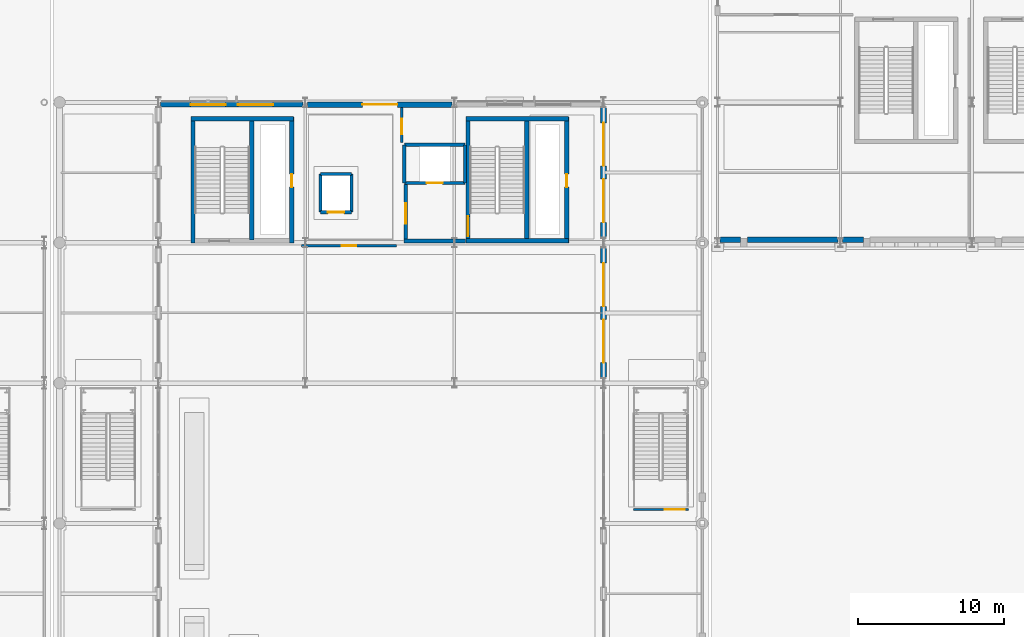
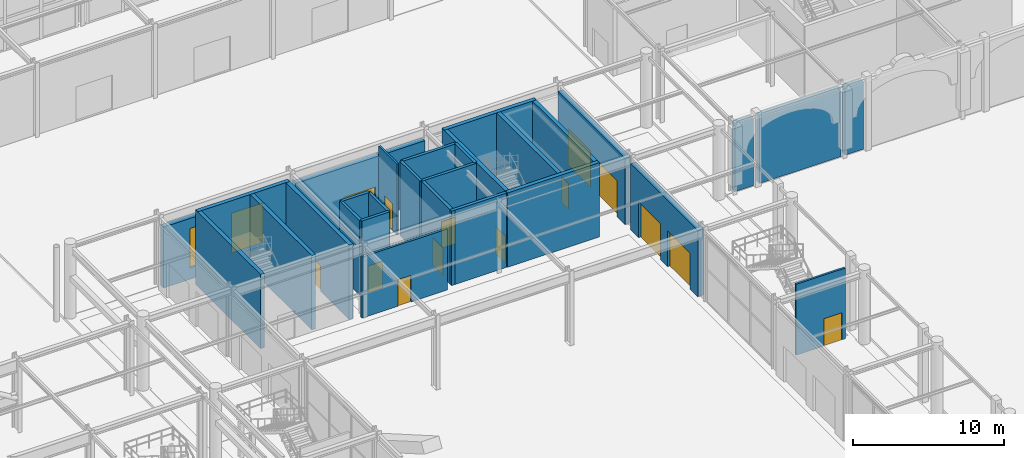
# One storey, part 63 of 113: 29 walls, 14 doors, 2 windows, 16 openings.
"""IFC4 building model written with IfcOpenShell, lengths in metres."""

from ifc_helpers import new_model, si_unit, direction, frame, frame_2d, origin, place, context, subcontext, project, spatial, rectangle, extrude, material, layer, layer_set, type_object, element, fill, save


model = new_model("IFC4")

# Units and contexts
model_context = context("Model", 3, precision=1e-05, world=origin(), true_north=direction((0.0, 1.0)))
body_context = subcontext(model_context, "Body", "Model", "MODEL_VIEW")
ifc_project = project(units=[si_unit("LENGTHUNIT", "METRE"), si_unit("AREAUNIT", "SQUARE_METRE"), si_unit("VOLUMEUNIT", "CUBIC_METRE"), si_unit("PLANEANGLEUNIT", "RADIAN"), si_unit("MASSUNIT", "GRAM", prefix="KILO")], contexts=[model_context])

# Site, building, storey
site_placement = place(None, origin())
site = spatial("IfcSite", under=ifc_project, at=site_placement, CompositionType="ELEMENT")
building_placement = place(site_placement, origin())
building = spatial("IfcBuilding", under=site, at=building_placement, Name="Myrtia Square Station", CompositionType="ELEMENT")
storey_placement = place(building_placement, origin())
storey = spatial("IfcBuildingStorey", under=building, at=storey_placement, Name="L00", CompositionType="ELEMENT", Elevation=0.0)

# Walls
ifc_material_1 = material(Name="Concrete C35/45", Category="concrete")
ifc_layer_1 = layer(ifc_material_1, 0.300048828125, Name="Concrete C35/45")
ifc_layer_set_1 = layer_set([ifc_layer_1], Name="Concrete C35/45")
wall_type_1 = type_object("IfcWallType", Name="WL-CORE-300", PredefinedType="SHEAR", material=ifc_layer_set_1)
wall_1_placement = place(storey_placement, frame((81.60009765625, 94.875, 0.0), z_axis=(0.0, 0.0, 1.0), x_axis=(1.0, 0.0, 0.0)))
element("IfcWall", 1, at=wall_1_placement, inside=storey, type_object=wall_type_1, Name="Core K2 shear wall L00 N", PredefinedType="SHEAR", context=body_context, shape_type="SweptSolid", body=[
    extrude(rectangle(XDim=7.0, YDim=0.300048828125, at=frame_2d((3.5, 0.0))), origin(), (0.0, 0.0, 1.0), 6.0),
])
wall_2_placement = place(storey_placement, frame((81.72509765625, 86.39990234375, 0.0), z_axis=(0.0, 0.0, 1.0), x_axis=(0.0, 1.0, 0.0)))
element("IfcWall", 2, at=wall_2_placement, inside=storey, type_object=wall_type_1, Name="Core K2 shear wall L00 W", PredefinedType="SHEAR", context=body_context, shape_type="SweptSolid", body=[
    extrude(rectangle(XDim=8.60009765625, YDim=0.300048828125, at=frame_2d((4.300048828125, 0.0))), origin(), (0.0, 0.0, 1.0), 6.0),
])

# Wall, opening, door
wall_3_placement = place(storey_placement, frame((88.47509765625, 86.39990234375, 0.0), z_axis=(0.0, 0.0, 1.0), x_axis=(0.0, 1.0, 0.0)))
wall_3 = element("IfcWall", 3, at=wall_3_placement, inside=storey, type_object=wall_type_1, Name="Core K2 shear wall L00 E", PredefinedType="SHEAR", context=body_context, shape_type="SweptSolid", body=[
    extrude(rectangle(XDim=8.60009765625, YDim=0.300048828125, at=frame_2d((4.300048828125, 0.0))), origin(), (0.0, 0.0, 1.0), 6.0),
])
opening_1_placement = place(wall_3_placement, frame((3.800048828125, 0.0, 0.0)))
opening_1 = element("IfcOpeningElement", 4, at=opening_1_placement, cuts=wall_3, Name="Opening RD-014", PredefinedType="OPENING", context=body_context, shape_type="SweptSolid", body=[
    extrude(rectangle(XDim=0.89990234375, YDim=2.050048828125, at=frame_2d((0.449951171875, 1.02490234375))), frame((0.0, 0.1650390625, 0.0), z_axis=(0.0, -1.0, 0.0), x_axis=(1.0, 0.0, 0.0)), (0.0, 0.0, 1.0), 0.330078125),
])
ifc_material_2 = material(Name="Dark bronze anodised aluminium", Category="aluminium")
door_type_1 = type_object("IfcDoorType", Name="DR-RISER-900x2050", OperationType="NOTDEFINED", PredefinedType="DOOR", material=ifc_material_2)
door_1_placement = place(opening_1_placement, origin())
door_1 = element("IfcDoor", 5, at=door_1_placement, inside=storey, type_object=door_type_1, Name="Riser cupboard access door K2 L00", OperationType="SINGLE_SWING_RIGHT", OverallHeight=2.050048828125, OverallWidth=0.89990234375, PredefinedType="DOOR", context=body_context, shape_type="SweptSolid", body=[
    extrude(rectangle(XDim=0.89990234375, YDim=2.050048828125, at=frame_2d((0.449951171875, 1.02490234375))), frame((0.0, 0.02490234375, 0.0), z_axis=(0.0, -1.0, 0.0), x_axis=(1.0, 0.0, 0.0)), (0.0, 0.0, 1.0), 0.050048828125),
])
fill(opening_1, door_1)

# Walls
wall_4_placement = place(storey_placement, frame((85.739990234375, 86.60009765625, 0.0), z_axis=(0.0, 0.0, 1.0), x_axis=(0.0, 1.0, 0.0)))
element("IfcWall", 6, at=wall_4_placement, inside=storey, type_object=wall_type_1, Name="Core K2 shear wall L00 D", PredefinedType="SHEAR", context=body_context, shape_type="SweptSolid", body=[
    extrude(rectangle(XDim=8.199951171875, YDim=0.300048828125, at=frame_2d((4.10009765625, 0.0))), origin(), (0.0, 0.0, 1.0), 6.0),
])
for number, where, z_axis, x_axis, name in (
    (7, (100.39990234375, 86.52490234375, 0.0), (0.0, 0.0, 1.0), (1.0, 0.0, 0.0), "Core K4 shear wall L00 S"),
    (8, (100.39990234375, 94.875, 0.0), (0.0, 0.0, 1.0), (1.0, 0.0, 0.0), "Core K4 shear wall L00 N"),
):
    element("IfcWall", number, at=place(storey_placement, frame(where, z_axis=z_axis, x_axis=x_axis)), inside=storey, type_object=wall_type_1, Name=name, PredefinedType="SHEAR", context=body_context, shape_type="SweptSolid", body=[
        extrude(rectangle(XDim=7.0, YDim=0.300048828125, at=frame_2d((3.5, 0.0))), origin(), (0.0, 0.0, 1.0), 6.0),
    ])

# Wall, opening, door
wall_5_placement = place(storey_placement, frame((100.52490234375, 86.39990234375, 0.0), z_axis=(0.0, 0.0, 1.0), x_axis=(0.0, 1.0, 0.0)))
wall_5 = element("IfcWall", 9, at=wall_5_placement, inside=storey, type_object=wall_type_1, Name="Core K4 shear wall L00 W", PredefinedType="SHEAR", context=body_context, shape_type="SweptSolid", body=[
    extrude(rectangle(XDim=8.60009765625, YDim=0.300048828125, at=frame_2d((4.300048828125, 0.0))), origin(), (0.0, 0.0, 1.0), 6.0),
])
opening_2_placement = place(wall_5_placement, frame((0.449951171875, 0.0, 0.0)))
opening_2 = element("IfcOpeningElement", 10, at=opening_2_placement, cuts=wall_5, Name="Opening SD-039", PredefinedType="OPENING", context=body_context, shape_type="SweptSolid", body=[
    extrude(rectangle(XDim=1.35009765625, YDim=2.199951171875, at=frame_2d((0.675048828125, 1.10009765625))), frame((0.0, 0.1650390625, 0.0), z_axis=(0.0, -1.0, 0.0), x_axis=(1.0, 0.0, 0.0)), (0.0, 0.0, 1.0), 0.330078125),
])
door_type_2 = type_object("IfcDoorType", Name="DR-STAIR-1350x2200", OperationType="NOTDEFINED", PredefinedType="DOOR", material=ifc_material_2)
door_2_placement = place(opening_2_placement, origin())
door_2 = element("IfcDoor", 11, at=door_2_placement, inside=storey, type_object=door_type_2, Name="Protected stair fire door K4 L00", OperationType="SINGLE_SWING_LEFT", OverallHeight=2.199951171875, OverallWidth=1.35009765625, PredefinedType="DOOR", context=body_context, shape_type="SweptSolid", body=[
    extrude(rectangle(XDim=1.35009765625, YDim=2.199951171875, at=frame_2d((0.675048828125, 1.10009765625))), frame((0.0, 0.02490234375, 0.0), z_axis=(0.0, -1.0, 0.0), x_axis=(1.0, 0.0, 0.0)), (0.0, 0.0, 1.0), 0.050048828125),
])
fill(opening_2, door_2)

wall_6_placement = place(storey_placement, frame((107.27490234375, 86.39990234375, 0.0), z_axis=(0.0, 0.0, 1.0), x_axis=(0.0, 1.0, 0.0)))
wall_6 = element("IfcWall", 12, at=wall_6_placement, inside=storey, type_object=wall_type_1, Name="Core K4 shear wall L00 E", PredefinedType="SHEAR", context=body_context, shape_type="SweptSolid", body=[
    extrude(rectangle(XDim=8.60009765625, YDim=0.300048828125, at=frame_2d((4.300048828125, 0.0))), origin(), (0.0, 0.0, 1.0), 6.0),
])
opening_3_placement = place(wall_6_placement, frame((3.800048828125, 0.0, 0.0)))
opening_3 = element("IfcOpeningElement", 13, at=opening_3_placement, cuts=wall_6, Name="Opening RD-040", PredefinedType="OPENING", context=body_context, shape_type="SweptSolid", body=[
    extrude(rectangle(XDim=0.89990234375, YDim=2.050048828125, at=frame_2d((0.449951171875, 1.02490234375))), frame((0.0, 0.1650390625, 0.0), z_axis=(0.0, -1.0, 0.0), x_axis=(1.0, 0.0, 0.0)), (0.0, 0.0, 1.0), 0.330078125),
])
door_3_placement = place(opening_3_placement, origin())
door_3 = element("IfcDoor", 14, at=door_3_placement, inside=storey, type_object=door_type_1, Name="Riser cupboard access door K4 L00", OperationType="SINGLE_SWING_RIGHT", OverallHeight=2.050048828125, OverallWidth=0.89990234375, PredefinedType="DOOR", context=body_context, shape_type="SweptSolid", body=[
    extrude(rectangle(XDim=0.89990234375, YDim=2.050048828125, at=frame_2d((0.449951171875, 1.02490234375))), frame((0.0, 0.02490234375, 0.0), z_axis=(0.0, -1.0, 0.0), x_axis=(1.0, 0.0, 0.0)), (0.0, 0.0, 1.0), 0.050048828125),
])
fill(opening_3, door_3)

# Wall
wall_7_placement = place(storey_placement, frame((104.5400390625, 86.60009765625, 0.0), z_axis=(0.0, 0.0, 1.0), x_axis=(0.0, 1.0, 0.0)))
element("IfcWall", 15, at=wall_7_placement, inside=storey, type_object=wall_type_1, Name="Core K4 shear wall L00 D", PredefinedType="SHEAR", context=body_context, shape_type="SweptSolid", body=[
    extrude(rectangle(XDim=8.199951171875, YDim=0.300048828125, at=frame_2d((4.10009765625, 0.0))), origin(), (0.0, 0.0, 1.0), 6.0),
])

# Wall, opening, door
ifc_material_3 = material(Name="Pentelic marble ashlar", Category="masonry")
ifc_layer_2 = layer(ifc_material_3, 0.3798828125, Name="Pentelic marble ashlar")
ifc_layer_set_2 = layer_set([ifc_layer_2], Name="Pentelic marble ashlar")
wall_type_2 = type_object("IfcWallType", Name="WL-EXT-ASHLAR-380", PredefinedType="SOLIDWALL", material=ifc_layer_set_2)
wall_8_placement = place(storey_placement, frame((89.554931640625, 95.85009765625, 0.0), z_axis=(0.0, 0.0, 1.0), x_axis=(1.0, 0.0, 0.0)))
wall_8 = element("IfcWall", 16, at=wall_8_placement, inside=storey, type_object=wall_type_2, Name="Exterior envelope wall EW-L00-0014", PredefinedType="SOLIDWALL", context=body_context, shape_type="SweptSolid", body=[
    extrude(rectangle(XDim=9.89013671875, YDim=0.3798828125, at=frame_2d((4.945068359375, 0.0))), origin(), (0.0, 0.0, 1.0), 4.919921875),
])
opening_4_placement = place(wall_8_placement, frame((3.7451171875, 0.0, 0.0)))
opening_4 = element("IfcOpeningElement", 17, at=opening_4_placement, cuts=wall_8, Name="Opening ED-022", PredefinedType="OPENING", context=body_context, shape_type="SweptSolid", body=[
    extrude(rectangle(XDim=2.39990234375, YDim=2.5, at=frame_2d((1.199951171875, 1.25))), frame((0.0, 0.204833984375, 0.0), z_axis=(0.0, -1.0, 0.0), x_axis=(1.0, 0.0, 0.0)), (0.0, 0.0, 1.0), 0.409912109375),
])
door_type_3 = type_object("IfcDoorType", Name="DR-EXIT-2400x2500", OperationType="NOTDEFINED", PredefinedType="DOOR", material=ifc_material_2)
door_4_placement = place(opening_4_placement, origin())
door_4 = element("IfcDoor", 18, at=door_4_placement, inside=storey, type_object=door_type_3, Name="Pedestrian exit door ED-022", OperationType="DOUBLE_DOOR_SINGLE_SWING", OverallHeight=2.5, OverallWidth=2.39990234375, PredefinedType="DOOR", context=body_context, shape_type="SweptSolid", body=[
    extrude(rectangle(XDim=2.39990234375, YDim=2.5, at=frame_2d((1.199951171875, 1.25))), frame((0.0, 0.02490234375, 0.0), z_axis=(0.0, -1.0, 0.0), x_axis=(1.0, 0.0, 0.0)), (0.0, 0.0, 1.0), 0.050048828125),
])
fill(opening_4, door_4)

# Walls
wall_9_placement = place(storey_placement, frame((117.7548828125, 86.60009765625, 0.0), z_axis=(0.0, 0.0, 1.0), x_axis=(1.0, 0.0, 0.0)))
element("IfcWall", 19, at=wall_9_placement, inside=storey, type_object=wall_type_2, Name="Exterior envelope wall EW-L00-0082", PredefinedType="SOLIDWALL", context=body_context, shape_type="SweptSolid", body=[
    extrude(rectangle(XDim=1.4150390625, YDim=0.3798828125, at=frame_2d((0.70751953125, 0.0))), origin(), (0.0, 0.0, 1.0), 5.489990234375),
])
wall_10_placement = place(storey_placement, frame((119.6298828125, 86.60009765625, 0.0), z_axis=(0.0, 0.0, 1.0), x_axis=(1.0, 0.0, 0.0)))
element("IfcWall", 20, at=wall_10_placement, inside=storey, type_object=wall_type_2, Name="Exterior envelope wall EW-L00-0083", PredefinedType="SOLIDWALL", context=body_context, shape_type="SweptSolid", body=[
    extrude(rectangle(XDim=6.215087890625, YDim=0.3798828125, at=frame_2d((3.107421875, 0.0))), origin(), (0.0, 0.0, 1.0), 5.489990234375),
])
wall_11_placement = place(storey_placement, frame((126.155029296875, 86.60009765625, 0.0), z_axis=(0.0, 0.0, 1.0), x_axis=(1.0, 0.0, 0.0)))
element("IfcWall", 21, at=wall_11_placement, inside=storey, type_object=wall_type_2, Name="Exterior envelope wall EW-L00-0084", PredefinedType="SOLIDWALL", context=body_context, shape_type="SweptSolid", body=[
    extrude(rectangle(XDim=1.4150390625, YDim=0.3798828125, at=frame_2d((0.70751953125, 0.0))), origin(), (0.0, 0.0, 1.0), 5.489990234375),
])

# Wall, openings, doors
ifc_layer_3 = layer(ifc_material_3, 0.419921875, Name="Pentelic marble ashlar")
ifc_layer_set_3 = layer_set([ifc_layer_3], Name="Pentelic marble ashlar")
wall_type_3 = type_object("IfcWallType", Name="WL-EXT-ASHLAR-420", PredefinedType="SOLIDWALL", material=ifc_layer_set_3)
wall_12_placement = place(storey_placement, frame((109.800048828125, 77.155029296875, 0.0), z_axis=(0.0, 0.0, 1.0), x_axis=(0.0, 1.0, 0.0)))
wall_12 = element("IfcWall", 22, at=wall_12_placement, inside=storey, type_object=wall_type_3, Name="Exterior envelope wall EW-L00-0008", PredefinedType="SOLIDWALL", context=body_context, shape_type="SweptSolid", body=[
    extrude(rectangle(XDim=8.889892578125, YDim=0.419921875, at=frame_2d((4.44482421875, 0.0))), origin(), (0.0, 0.0, 1.0), 5.360107421875),
])
opening_5_placement = place(wall_12_placement, frame((1.044921875, 0.0, 0.0)))
opening_5 = element("IfcOpeningElement", 23, at=opening_5_placement, cuts=wall_12, Name="Opening ED-015", PredefinedType="OPENING", context=body_context, shape_type="SweptSolid", body=[
    extrude(rectangle(XDim=2.949951171875, YDim=2.89990234375, at=frame_2d((1.47509765625, 1.449951171875))), frame((0.0, 0.224853515625, 0.0), z_axis=(0.0, -1.0, 0.0), x_axis=(1.0, 0.0, 0.0)), (0.0, 0.0, 1.0), 0.449951171875),
])
opening_6_placement = place(wall_12_placement, frame((4.89501953125, 0.0, 0.0)))
opening_6 = element("IfcOpeningElement", 24, at=opening_6_placement, cuts=wall_12, Name="Opening ED-016", PredefinedType="OPENING", context=body_context, shape_type="SweptSolid", body=[
    extrude(rectangle(XDim=2.949951171875, YDim=2.89990234375, at=frame_2d((1.47509765625, 1.449951171875))), frame((0.0, 0.224853515625, 0.0), z_axis=(0.0, -1.0, 0.0), x_axis=(1.0, 0.0, 0.0)), (0.0, 0.0, 1.0), 0.449951171875),
])
door_type_4 = type_object("IfcDoorType", Name="DR-MAIN-2950x2900", OperationType="NOTDEFINED", PredefinedType="DOOR", material=ifc_material_2)
door_5_placement = place(opening_5_placement, frame((2.949951171875, 0.0, 0.0), z_axis=(0.0, 0.0, 1.0), x_axis=(-1.0, 0.0, 0.0)))
door_5 = element("IfcDoor", 25, at=door_5_placement, inside=storey, type_object=door_type_4, Name="Pedestrian exit door ED-015", OperationType="DOUBLE_DOOR_SINGLE_SWING", OverallHeight=2.89990234375, OverallWidth=2.949951171875, PredefinedType="DOOR", context=body_context, shape_type="SweptSolid", body=[
    extrude(rectangle(XDim=2.949951171875, YDim=2.89990234375, at=frame_2d((1.47509765625, 1.449951171875))), frame((0.0, 0.02490234375, 0.0), z_axis=(0.0, -1.0, 0.0), x_axis=(1.0, 0.0, 0.0)), (0.0, 0.0, 1.0), 0.050048828125),
])
fill(opening_5, door_5)
door_6_placement = place(opening_6_placement, frame((2.949951171875, 0.0, 0.0), z_axis=(0.0, 0.0, 1.0), x_axis=(-1.0, 0.0, 0.0)))
door_6 = element("IfcDoor", 26, at=door_6_placement, inside=storey, type_object=door_type_4, Name="Pedestrian exit door ED-016", OperationType="DOUBLE_DOOR_SINGLE_SWING", OverallHeight=2.89990234375, OverallWidth=2.949951171875, PredefinedType="DOOR", context=body_context, shape_type="SweptSolid", body=[
    extrude(rectangle(XDim=2.949951171875, YDim=2.89990234375, at=frame_2d((1.47509765625, 1.449951171875))), frame((0.0, 0.02490234375, 0.0), z_axis=(0.0, -1.0, 0.0), x_axis=(1.0, 0.0, 0.0)), (0.0, 0.0, 1.0), 0.050048828125),
])
fill(opening_6, door_6)

wall_13_placement = place(storey_placement, frame((109.800048828125, 86.7548828125, 0.0), z_axis=(0.0, 0.0, 1.0), x_axis=(0.0, 1.0, 0.0)))
wall_13 = element("IfcWall", 27, at=wall_13_placement, inside=storey, type_object=wall_type_3, Name="Exterior envelope wall EW-L00-0010", PredefinedType="SOLIDWALL", context=body_context, shape_type="SweptSolid", body=[
    extrude(rectangle(XDim=8.89013671875, YDim=0.419921875, at=frame_2d((4.445068359375, 0.0))), origin(), (0.0, 0.0, 1.0), 5.360107421875),
])
opening_7_placement = place(wall_13_placement, frame((1.044921875, 0.0, 0.0)))
opening_7 = element("IfcOpeningElement", 28, at=opening_7_placement, cuts=wall_13, Name="Opening ED-019", PredefinedType="OPENING", context=body_context, shape_type="SweptSolid", body=[
    extrude(rectangle(XDim=2.949951171875, YDim=2.89990234375, at=frame_2d((1.47509765625, 1.449951171875))), frame((0.0, 0.224853515625, 0.0), z_axis=(0.0, -1.0, 0.0), x_axis=(1.0, 0.0, 0.0)), (0.0, 0.0, 1.0), 0.449951171875),
])
opening_8_placement = place(wall_13_placement, frame((4.89501953125, 0.0, 0.0)))
opening_8 = element("IfcOpeningElement", 29, at=opening_8_placement, cuts=wall_13, Name="Opening ED-020", PredefinedType="OPENING", context=body_context, shape_type="SweptSolid", body=[
    extrude(rectangle(XDim=2.949951171875, YDim=2.89990234375, at=frame_2d((1.47509765625, 1.449951171875))), frame((0.0, 0.224853515625, 0.0), z_axis=(0.0, -1.0, 0.0), x_axis=(1.0, 0.0, 0.0)), (0.0, 0.0, 1.0), 0.449951171875),
])
door_7_placement = place(opening_7_placement, frame((2.949951171875, 0.0, 0.0), z_axis=(0.0, 0.0, 1.0), x_axis=(-1.0, 0.0, 0.0)))
door_7 = element("IfcDoor", 30, at=door_7_placement, inside=storey, type_object=door_type_4, Name="Pedestrian exit door ED-019", OperationType="DOUBLE_DOOR_SINGLE_SWING", OverallHeight=2.89990234375, OverallWidth=2.949951171875, PredefinedType="DOOR", context=body_context, shape_type="SweptSolid", body=[
    extrude(rectangle(XDim=2.949951171875, YDim=2.89990234375, at=frame_2d((1.47509765625, 1.449951171875))), frame((0.0, 0.02490234375, 0.0), z_axis=(0.0, -1.0, 0.0), x_axis=(1.0, 0.0, 0.0)), (0.0, 0.0, 1.0), 0.050048828125),
])
fill(opening_7, door_7)
door_8_placement = place(opening_8_placement, frame((2.949951171875, 0.0, 0.0), z_axis=(0.0, 0.0, 1.0), x_axis=(-1.0, 0.0, 0.0)))
door_8 = element("IfcDoor", 31, at=door_8_placement, inside=storey, type_object=door_type_4, Name="Pedestrian exit door ED-020", OperationType="DOUBLE_DOOR_SINGLE_SWING", OverallHeight=2.89990234375, OverallWidth=2.949951171875, PredefinedType="DOOR", context=body_context, shape_type="SweptSolid", body=[
    extrude(rectangle(XDim=2.949951171875, YDim=2.89990234375, at=frame_2d((1.47509765625, 1.449951171875))), frame((0.0, 0.02490234375, 0.0), z_axis=(0.0, -1.0, 0.0), x_axis=(1.0, 0.0, 0.0)), (0.0, 0.0, 1.0), 0.050048828125),
])
fill(opening_8, door_8)

# Wall, openings, windows
ifc_material_4 = material(Name="Cream lime stucco on clay brick masonry", Category="masonry")
ifc_layer_4 = layer(ifc_material_4, 0.360107421875, Name="Cream lime stucco on clay brick masonry")
ifc_layer_set_4 = layer_set([ifc_layer_4], Name="Cream lime stucco on clay brick masonry")
wall_type_4 = type_object("IfcWallType", Name="WL-EXT-STUCCO-360", PredefinedType="SOLIDWALL", material=ifc_layer_set_4)
wall_14_placement = place(storey_placement, frame((79.5048828125, 95.85009765625, 0.0), z_axis=(0.0, 0.0, 1.0), x_axis=(1.0, 0.0, 0.0)))
wall_14 = element("IfcWall", 32, at=wall_14_placement, inside=storey, type_object=wall_type_4, Name="Exterior envelope wall EW-L00-0012", PredefinedType="SOLIDWALL", context=body_context, shape_type="SweptSolid", body=[
    extrude(rectangle(XDim=9.740234375, YDim=0.360107421875, at=frame_2d((4.8701171875, 0.0))), origin(), (0.0, 0.0, 1.0), 4.919921875),
])
opening_9_placement = place(wall_14_placement, frame((2.047119140625, 0.0, 0.89990234375)))
opening_9 = element("IfcOpeningElement", 33, at=opening_9_placement, cuts=wall_14, Name="Opening WN-003", PredefinedType="OPENING", context=body_context, shape_type="SweptSolid", body=[
    extrude(rectangle(XDim=2.39990234375, YDim=3.199951171875, at=frame_2d((1.199951171875, 1.60009765625))), frame((0.0, 0.195068359375, 0.0), z_axis=(0.0, -1.0, 0.0), x_axis=(1.0, 0.0, 0.0)), (0.0, 0.0, 1.0), 0.39013671875),
])
opening_10_placement = place(wall_14_placement, frame((5.29296875, 0.0, 0.89990234375)))
opening_10 = element("IfcOpeningElement", 34, at=opening_10_placement, cuts=wall_14, Name="Opening WN-004", PredefinedType="OPENING", context=body_context, shape_type="SweptSolid", body=[
    extrude(rectangle(XDim=2.39990234375, YDim=3.199951171875, at=frame_2d((1.199951171875, 1.60009765625))), frame((0.0, 0.195068359375, 0.0), z_axis=(0.0, -1.0, 0.0), x_axis=(1.0, 0.0, 0.0)), (0.0, 0.0, 1.0), 0.39013671875),
])
ifc_material_5 = material(Name="Tinted low-E solar control glass", Category="glass")
window_type = type_object("IfcWindowType", Name="WN-ARCH-2400x3200", PartitioningType="SINGLE_PANEL", PredefinedType="WINDOW", material=ifc_material_5)
window_1_placement = place(opening_9_placement, origin())
window_1 = element("IfcWindow", 35, at=window_1_placement, inside=storey, type_object=window_type, Name="Window WN-003", OverallHeight=3.199951171875, OverallWidth=2.39990234375, PartitioningType="SINGLE_PANEL", PredefinedType="WINDOW", context=body_context, shape_type="SweptSolid", body=[
    extrude(rectangle(XDim=2.39990234375, YDim=3.199951171875, at=frame_2d((1.199951171875, 1.60009765625))), frame((0.0, 0.030029296875, 0.0), z_axis=(0.0, -1.0, 0.0), x_axis=(1.0, 0.0, 0.0)), (0.0, 0.0, 1.0), 0.06005859375),
])
fill(opening_9, window_1)
window_2_placement = place(opening_10_placement, origin())
window_2 = element("IfcWindow", 36, at=window_2_placement, inside=storey, type_object=window_type, Name="Window WN-004", OverallHeight=3.199951171875, OverallWidth=2.39990234375, PartitioningType="SINGLE_PANEL", PredefinedType="WINDOW", context=body_context, shape_type="SweptSolid", body=[
    extrude(rectangle(XDim=2.39990234375, YDim=3.199951171875, at=frame_2d((1.199951171875, 1.60009765625))), frame((0.0, 0.030029296875, 0.0), z_axis=(0.0, -1.0, 0.0), x_axis=(1.0, 0.0, 0.0)), (0.0, 0.0, 1.0), 0.06005859375),
])
fill(opening_10, window_2)

# Wall, opening, door
ifc_layer_5 = layer(ifc_material_1, 0.239990234375, Name="Concrete C35/45")
ifc_layer_set_5 = layer_set([ifc_layer_5], Name="Concrete C35/45")
wall_type_5 = type_object("IfcWallType", Name="WL-FFL-240", PredefinedType="SHEAR", material=ifc_layer_set_5)
wall_15_placement = place(storey_placement, frame((96.27001953125, 86.39990234375, 0.0), z_axis=(0.0, 0.0, 1.0), x_axis=(0.0, 1.0, 0.0)))
wall_15 = element("IfcWall", 37, at=wall_15_placement, inside=storey, type_object=wall_type_5, Name="Firefighting lift lobby EI 120 wall K4 L00 W", PredefinedType="SHEAR", context=body_context, shape_type="SweptSolid", body=[
    extrude(rectangle(XDim=4.0, YDim=0.239990234375, at=frame_2d((2.0, 0.0))), origin(), (0.0, 0.0, 1.0), 6.0),
])
opening_11_placement = place(wall_15_placement, frame((1.300048828125, 0.0, 0.0)))
opening_11 = element("IfcOpeningElement", 38, at=opening_11_placement, cuts=wall_15, Name="Opening FD-041", PredefinedType="OPENING", context=body_context, shape_type="SweptSolid", body=[
    extrude(rectangle(XDim=1.39990234375, YDim=2.199951171875, at=frame_2d((0.699951171875, 1.10009765625))), frame((0.0, 0.135009765625, 0.0), z_axis=(0.0, -1.0, 0.0), x_axis=(1.0, 0.0, 0.0)), (0.0, 0.0, 1.0), 0.27001953125),
])
door_type_5 = type_object("IfcDoorType", Name="DR-FFL-1400x2200", OperationType="NOTDEFINED", PredefinedType="DOOR", material=ifc_material_2)
door_9_placement = place(opening_11_placement, origin())
door_9 = element("IfcDoor", 39, at=door_9_placement, inside=storey, type_object=door_type_5, Name="Firefighting lobby fire door K4 L00", OperationType="SINGLE_SWING_LEFT", OverallHeight=2.199951171875, OverallWidth=1.39990234375, PredefinedType="DOOR", context=body_context, shape_type="SweptSolid", body=[
    extrude(rectangle(XDim=1.39990234375, YDim=2.199951171875, at=frame_2d((0.699951171875, 1.10009765625))), frame((0.0, 0.02490234375, 0.0), z_axis=(0.0, -1.0, 0.0), x_axis=(1.0, 0.0, 0.0)), (0.0, 0.0, 1.0), 0.050048828125),
])
fill(opening_11, door_9)

# Wall
wall_16_placement = place(storey_placement, frame((96.14990234375, 86.52001953125, 0.0), z_axis=(0.0, 0.0, 1.0), x_axis=(1.0, 0.0, 0.0)))
element("IfcWall", 40, at=wall_16_placement, inside=storey, type_object=wall_type_5, Name="Firefighting lift lobby EI 120 wall K4 L00 S", PredefinedType="SHEAR", context=body_context, shape_type="SweptSolid", body=[
    extrude(rectangle(XDim=4.2001953125, YDim=0.239990234375, at=frame_2d((2.10009765625, 0.0))), origin(), (0.0, 0.0, 1.0), 6.0),
])

# Wall, opening, door
ifc_layer_6 = layer(ifc_material_1, 0.219970703125, Name="Concrete C35/45")
ifc_layer_set_6 = layer_set([ifc_layer_6], Name="Concrete C35/45")
wall_type_6 = type_object("IfcWallType", Name="WL-LIFT-220", PredefinedType="SHEAR", material=ifc_layer_set_6)
wall_17_placement = place(storey_placement, frame((90.43994140625, 88.489990234375, 0.0), z_axis=(0.0, 0.0, 1.0), x_axis=(1.0, 0.0, 0.0)))
wall_17 = element("IfcWall", 41, at=wall_17_placement, inside=storey, type_object=wall_type_6, Name="Lift shaft wall PL-06 L00 -Y", PredefinedType="SHEAR", context=body_context, shape_type="SweptSolid", body=[
    extrude(rectangle(XDim=2.1201171875, YDim=0.219970703125, at=frame_2d((1.06005859375, 0.0))), origin(), (0.0, 0.0, 1.0), 6.0),
])
opening_12_placement = place(wall_17_placement, frame((0.510009765625, 0.0, 0.0)))
opening_12 = element("IfcOpeningElement", 42, at=opening_12_placement, cuts=wall_17, Name="Opening LD-PL-06", PredefinedType="OPENING", context=body_context, shape_type="SweptSolid", body=[
    extrude(rectangle(XDim=1.10009765625, YDim=2.14990234375, at=frame_2d((0.550048828125, 1.074951171875))), frame((0.0, 0.125, 0.0), z_axis=(0.0, -1.0, 0.0), x_axis=(1.0, 0.0, 0.0)), (0.0, 0.0, 1.0), 0.25),
])
door_type_6 = type_object("IfcDoorType", Name="DR-LIFT-1100x2150", OperationType="NOTDEFINED", PredefinedType="DOOR", material=ifc_material_2)
door_10_placement = place(opening_12_placement, origin())
door_10 = element("IfcDoor", 43, at=door_10_placement, inside=storey, type_object=door_type_6, Name="Lift landing door PL-06 L00", OperationType="SLIDING_TO_LEFT", OverallHeight=2.14990234375, OverallWidth=1.10009765625, PredefinedType="DOOR", context=body_context, shape_type="SweptSolid", body=[
    extrude(rectangle(XDim=1.10009765625, YDim=2.14990234375, at=frame_2d((0.550048828125, 1.074951171875))), frame((0.0, 0.02490234375, 0.0), z_axis=(0.0, -1.0, 0.0), x_axis=(1.0, 0.0, 0.0)), (0.0, 0.0, 1.0), 0.050048828125),
])
fill(opening_12, door_10)

# Walls
wall_18_placement = place(storey_placement, frame((90.43994140625, 91.110107421875, 0.0), z_axis=(0.0, 0.0, 1.0), x_axis=(1.0, 0.0, 0.0)))
element("IfcWall", 44, at=wall_18_placement, inside=storey, type_object=wall_type_6, Name="Lift shaft wall PL-06 L00 +Y", PredefinedType="SHEAR", context=body_context, shape_type="SweptSolid", body=[
    extrude(rectangle(XDim=2.1201171875, YDim=0.219970703125, at=frame_2d((1.06005859375, 0.0))), origin(), (0.0, 0.0, 1.0), 6.0),
])
for number, where, z_axis, x_axis, name in (
    (45, (90.43994140625, 88.489990234375, 0.0), (0.0, 0.0, 1.0), (0.0, 1.0, 0.0), "Lift shaft wall PL-06 L00 -X"),
    (46, (92.56005859375, 88.489990234375, 0.0), (0.0, 0.0, 1.0), (0.0, 1.0, 0.0), "Lift shaft wall PL-06 L00 +X"),
):
    element("IfcWall", number, at=place(storey_placement, frame(where, z_axis=z_axis, x_axis=x_axis)), inside=storey, type_object=wall_type_6, Name=name, PredefinedType="SHEAR", context=body_context, shape_type="SweptSolid", body=[
        extrude(rectangle(XDim=2.6201171875, YDim=0.219970703125, at=frame_2d((1.31005859375, 0.0))), origin(), (0.0, 0.0, 1.0), 6.0),
    ])

# Wall, opening, door
wall_19_placement = place(storey_placement, frame((96.169921875, 90.47998046875, 0.0), z_axis=(0.0, 0.0, 1.0), x_axis=(1.0, 0.0, 0.0)))
wall_19 = element("IfcWall", 47, at=wall_19_placement, inside=storey, type_object=wall_type_6, Name="Lift shaft wall FFL-02 L00 -Y", PredefinedType="SHEAR", context=body_context, shape_type="SweptSolid", body=[
    extrude(rectangle(XDim=4.16015625, YDim=0.219970703125, at=frame_2d((2.080078125, 0.0))), origin(), (0.0, 0.0, 1.0), 6.0),
])
opening_13_placement = place(wall_19_placement, frame((1.530029296875, 0.0, 0.0)))
opening_13 = element("IfcOpeningElement", 48, at=opening_13_placement, cuts=wall_19, Name="Opening LD-FFL-02", PredefinedType="OPENING", context=body_context, shape_type="SweptSolid", body=[
    extrude(rectangle(XDim=1.10009765625, YDim=2.14990234375, at=frame_2d((0.550048828125, 1.074951171875))), frame((0.0, 0.125, 0.0), z_axis=(0.0, -1.0, 0.0), x_axis=(1.0, 0.0, 0.0)), (0.0, 0.0, 1.0), 0.25),
])
door_11_placement = place(opening_13_placement, origin())
door_11 = element("IfcDoor", 49, at=door_11_placement, inside=storey, type_object=door_type_6, Name="Lift landing door FFL-02 L00", OperationType="SLIDING_TO_RIGHT", OverallHeight=2.14990234375, OverallWidth=1.10009765625, PredefinedType="DOOR", context=body_context, shape_type="SweptSolid", body=[
    extrude(rectangle(XDim=1.10009765625, YDim=2.14990234375, at=frame_2d((0.550048828125, 1.074951171875))), frame((0.0, 0.02490234375, 0.0), z_axis=(0.0, -1.0, 0.0), x_axis=(1.0, 0.0, 0.0)), (0.0, 0.0, 1.0), 0.050048828125),
])
fill(opening_13, door_11)

# Walls
wall_20_placement = place(storey_placement, frame((96.169921875, 93.10009765625, 0.0), z_axis=(0.0, 0.0, 1.0), x_axis=(1.0, 0.0, 0.0)))
element("IfcWall", 50, at=wall_20_placement, inside=storey, type_object=wall_type_6, Name="Lift shaft wall FFL-02 L00 +Y", PredefinedType="SHEAR", context=body_context, shape_type="SweptSolid", body=[
    extrude(rectangle(XDim=4.16015625, YDim=0.219970703125, at=frame_2d((2.080078125, 0.0))), origin(), (0.0, 0.0, 1.0), 6.0),
])
for number, where, z_axis, x_axis, name in (
    (51, (96.169921875, 90.47998046875, 0.0), (0.0, 0.0, 1.0), (0.0, 1.0, 0.0), "Lift shaft wall FFL-02 L00 -X"),
    (52, (100.330078125, 90.47998046875, 0.0), (0.0, 0.0, 1.0), (0.0, 1.0, 0.0), "Lift shaft wall FFL-02 L00 +X"),
):
    element("IfcWall", number, at=place(storey_placement, frame(where, z_axis=z_axis, x_axis=x_axis)), inside=storey, type_object=wall_type_6, Name=name, PredefinedType="SHEAR", context=body_context, shape_type="SweptSolid", body=[
        extrude(rectangle(XDim=2.6201171875, YDim=0.219970703125, at=frame_2d((1.31005859375, 0.0))), origin(), (0.0, 0.0, 1.0), 6.0),
    ])

# Wall, opening, door
ifc_material_6 = material(Name="Gypsum plasterboard")
ifc_layer_7 = layer(ifc_material_6, 0.14990234375, Name="Gypsum plasterboard")
ifc_layer_set_7 = layer_set([ifc_layer_7], Name="Gypsum plasterboard")
wall_type_7 = type_object("IfcWallType", Name="WL-PART-150", PredefinedType="PARTITIONING", material=ifc_layer_set_7)
wall_21_placement = place(storey_placement, frame((111.840087890625, 68.14990234375, 0.0), z_axis=(0.0, 0.0, 1.0), x_axis=(1.0, 0.0, 0.0)))
wall_21 = element("IfcWall", 53, at=wall_21_placement, inside=storey, type_object=wall_type_7, Name="Interchange stair smoke vestibule wall 06 L00", PredefinedType="PARTITIONING", context=body_context, shape_type="SweptSolid", body=[
    extrude(rectangle(XDim=3.760009765625, YDim=0.14990234375, at=frame_2d((1.8798828125, 0.0))), origin(), (0.0, 0.0, 1.0), 5.719970703125),
])
opening_14_placement = place(wall_21_placement, frame((2.14990234375, 0.0, 0.0)))
opening_14 = element("IfcOpeningElement", 54, at=opening_14_placement, cuts=wall_21, Name="Opening SD-193", PredefinedType="OPENING", context=body_context, shape_type="SweptSolid", body=[
    extrude(rectangle(XDim=1.35009765625, YDim=2.199951171875, at=frame_2d((0.675048828125, 1.10009765625))), frame((0.0, 0.08984375, 0.0), z_axis=(0.0, -1.0, 0.0), x_axis=(1.0, 0.0, 0.0)), (0.0, 0.0, 1.0), 0.179931640625),
])
door_12_placement = place(opening_14_placement, frame((1.35009765625, 0.0, 0.0), z_axis=(0.0, 0.0, 1.0), x_axis=(-1.0, 0.0, 0.0)))
door_12 = element("IfcDoor", 55, at=door_12_placement, inside=storey, type_object=door_type_2, Name="Interchange stair fire door 06 L00", OperationType="SINGLE_SWING_LEFT", OverallHeight=2.199951171875, OverallWidth=1.35009765625, PredefinedType="DOOR", context=body_context, shape_type="SweptSolid", body=[
    extrude(rectangle(XDim=1.35009765625, YDim=2.199951171875, at=frame_2d((0.675048828125, 1.10009765625))), frame((0.0, 0.02490234375, 0.0), z_axis=(0.0, -1.0, 0.0), x_axis=(1.0, 0.0, 0.0)), (0.0, 0.0, 1.0), 0.050048828125),
])
fill(opening_14, door_12)

wall_22_placement = place(storey_placement, frame((96.0, 93.260009765625, 0.0), z_axis=(0.0, 0.0, 1.0), x_axis=(0.0, 1.0, 0.0)))
wall_22 = element("IfcWall", 56, at=wall_22_placement, inside=storey, type_object=wall_type_7, Name="Interior partition wall L00-24", PredefinedType="PARTITIONING", context=body_context, shape_type="SweptSolid", body=[
    extrude(rectangle(XDim=2.39501953125, YDim=0.14990234375, at=frame_2d((1.197509765625, 0.0))), origin(), (0.0, 0.0, 1.0), 5.719970703125),
])
opening_15_placement = place(wall_22_placement, frame((0.570068359375, 0.0, 0.0)))
opening_15 = element("IfcOpeningElement", 57, at=opening_15_placement, cuts=wall_22, Name="Opening D-234", PredefinedType="OPENING", context=body_context, shape_type="SweptSolid", body=[
    extrude(rectangle(XDim=1.050048828125, YDim=2.199951171875, at=frame_2d((0.52490234375, 1.10009765625))), frame((0.0, 0.08984375, 0.0), z_axis=(0.0, -1.0, 0.0), x_axis=(1.0, 0.0, 0.0)), (0.0, 0.0, 1.0), 0.179931640625),
])
ifc_material_7 = material(Name="Acoustic European oak timber", Category="wood")
door_type_7 = type_object("IfcDoorType", Name="DR-ROOM-1050x2200", OperationType="NOTDEFINED", PredefinedType="DOOR", material=ifc_material_7)
door_13_placement = place(opening_15_placement, origin())
door_13 = element("IfcDoor", 58, at=door_13_placement, inside=storey, type_object=door_type_7, Name="North-East Concourse Travel Agency Shop door D-234", OperationType="SINGLE_SWING_RIGHT", OverallHeight=2.199951171875, OverallWidth=1.050048828125, PredefinedType="DOOR", context=body_context, shape_type="SweptSolid", body=[
    extrude(rectangle(XDim=1.050048828125, YDim=2.199951171875, at=frame_2d((0.52490234375, 1.10009765625))), frame((0.0, 0.02490234375, 0.0), z_axis=(0.0, -1.0, 0.0), x_axis=(1.0, 0.0, 0.0)), (0.0, 0.0, 1.0), 0.050048828125),
])
fill(opening_15, door_13)

ifc_layer_8 = layer(ifc_material_4, 0.175048828125, Name="Cream lime stucco on clay brick masonry")
ifc_layer_set_8 = layer_set([ifc_layer_8], Name="Cream lime stucco on clay brick masonry")
wall_type_8 = type_object("IfcWallType", Name="WL-PART-175", PredefinedType="PARTITIONING", material=ifc_layer_set_8)
wall_23_placement = place(storey_placement, frame((89.14990234375, 86.199951171875, 0.0), z_axis=(0.0, 0.0, 1.0), x_axis=(1.0, 0.0, 0.0)))
wall_23 = element("IfcWall", 59, at=wall_23_placement, inside=storey, type_object=wall_type_8, Name="Interior partition wall L00-05", PredefinedType="PARTITIONING", context=body_context, shape_type="SweptSolid", body=[
    extrude(rectangle(XDim=6.5, YDim=0.175048828125, at=frame_2d((3.25, 0.0))), origin(), (0.0, 0.0, 1.0), 4.919921875),
])
opening_16_placement = place(wall_23_placement, frame((2.75, 0.0, 0.0)))
opening_16 = element("IfcOpeningElement", 60, at=opening_16_placement, cuts=wall_23, Name="Opening D-218", PredefinedType="OPENING", context=body_context, shape_type="SweptSolid", body=[
    extrude(rectangle(XDim=1.0, YDim=2.14990234375, at=frame_2d((0.5, 1.074951171875))), frame((0.0, 0.1025390625, 0.0), z_axis=(0.0, -1.0, 0.0), x_axis=(1.0, 0.0, 0.0)), (0.0, 0.0, 1.0), 0.205078125),
])
door_type_8 = type_object("IfcDoorType", Name="DR-ROOM-1000x2150", OperationType="NOTDEFINED", PredefinedType="DOOR", material=ifc_material_7)
door_14_placement = place(opening_16_placement, frame((1.0, 0.0, 0.0), z_axis=(0.0, 0.0, 1.0), x_axis=(-1.0, 0.0, 0.0)))
door_14 = element("IfcDoor", 61, at=door_14_placement, inside=storey, type_object=door_type_8, Name="Mobility Assistance Passenger Waiting Lounge door D-218", OperationType="SINGLE_SWING_RIGHT", OverallHeight=2.14990234375, OverallWidth=1.0, PredefinedType="DOOR", context=body_context, shape_type="SweptSolid", body=[
    extrude(rectangle(XDim=1.0, YDim=2.14990234375, at=frame_2d((0.5, 1.074951171875))), frame((0.0, 0.02490234375, 0.0), z_axis=(0.0, -1.0, 0.0), x_axis=(1.0, 0.0, 0.0)), (0.0, 0.0, 1.0), 0.050048828125),
])
fill(opening_16, door_14)

save(model, "model.ifc")
